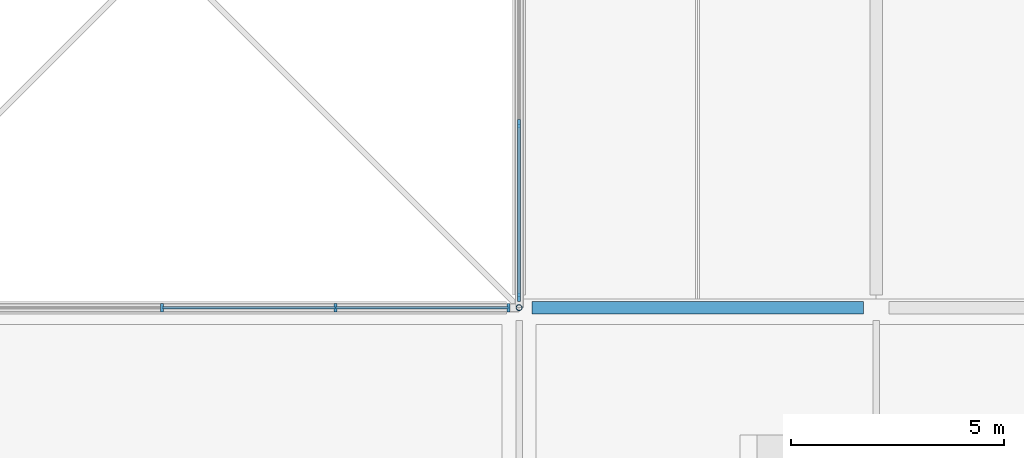
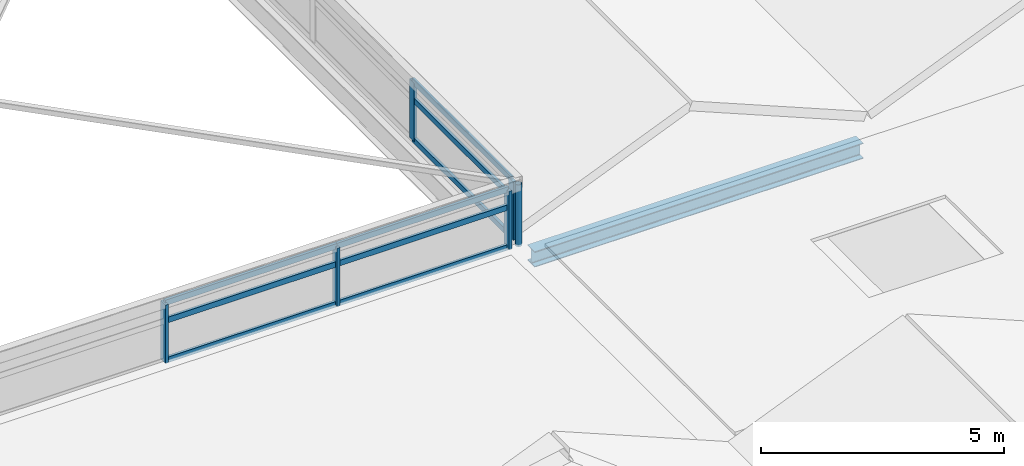
# One storey, part 4 of 14: 15 members, 1 beam, 2 elements without a shape of their own.
"""IFC4 building model written with IfcOpenShell, lengths in metres."""

from ifc_helpers import new_model, si_unit, direction, frame, origin, origin_2d, place, context, subcontext, project, spatial, rectangle, hollow_circle, i_section, extrude, material, layer, layer_set, material_profile, profile_set, type_object, element, aggregate, save


model = new_model("IFC4")

# Units and contexts
model_context = context("Model", 3, precision=1e-05, world=origin(), true_north=direction((0.0, 1.0)))
body_context = subcontext(model_context, "Body", "Model", "MODEL_VIEW")
ifc_project = project(units=[si_unit("LENGTHUNIT", "METRE"), si_unit("AREAUNIT", "SQUARE_METRE"), si_unit("VOLUMEUNIT", "CUBIC_METRE"), si_unit("PLANEANGLEUNIT", "RADIAN"), si_unit("MASSUNIT", "GRAM", prefix="KILO")], contexts=[model_context])

# Site, building, storey
site_placement = place(None, origin())
site = spatial("IfcSite", under=ifc_project, at=site_placement, CompositionType="ELEMENT")
building_placement = place(site_placement, origin())
building = spatial("IfcBuilding", under=site, at=building_placement, Name="Qawsi Khor Wholesale Market", CompositionType="ELEMENT")
storey_placement = place(building_placement, frame((0.0, 0.0, 20.699951171875)))
storey = spatial("IfcBuildingStorey", under=building, at=storey_placement, Name="RF", CompositionType="ELEMENT", Elevation=20.699951171875)

# Curtain wall, members
ifc_material_1 = material(Name="Aluminium Anodised Bronze", Category="aluminium")
ifc_layer = layer(ifc_material_1, 0.179931640625, Name="Aluminium Anodised Bronze")
ifc_layer_set = layer_set([ifc_layer], Name="Aluminium Anodised Bronze")
curtain_wall_type = type_object("IfcCurtainWallType", Name="Atrium Full-Height Curtain Wall CW-02", PredefinedType="NOTDEFINED", material=ifc_layer_set)
curtain_wall_1_placement = place(storey_placement, origin())
curtain_wall_1 = element("IfcCurtainWall", 1, at=curtain_wall_1_placement, inside=storey, type_object=curtain_wall_type, Name="Curtain wall CW-CW-02-RF-046", PredefinedType="NOTDEFINED")
ifc_material_profile_1 = material_profile(ifc_material_1, rectangle(XDim=0.070068359375, YDim=0.199951171875, at=origin_2d()), Name="ALU MULLION 70x200")
ifc_profile_set_1 = profile_set([ifc_material_profile_1], Name="Aluminium Anodised Bronze")
member_type_1 = type_object("IfcMemberType", Name="Curtain Wall Mullion CW-02 ALU MULLION 70x200", PredefinedType="MULLION", material=ifc_profile_set_1)
member_1_placement = place(storey_placement, frame((58.800048828125, 25.199951171875, -0.02001953125), z_axis=(0.0, 0.0, 1.0), x_axis=(1.0, 0.0, 0.0)))
member_1 = element("IfcMember", 2, at=member_1_placement, type_object=member_type_1, Name="Mullion CW-CW-02-RF-046-M02", PredefinedType="MULLION", context=body_context, shape_type="SweptSolid", body=[
    extrude(rectangle(XDim=0.070068359375, YDim=0.199951171875, at=origin_2d()), origin(), (0.0, 0.0, 1.0), 1.469970703125),
])
member_2_placement = place(storey_placement, frame((62.875, 25.199951171875, -0.02001953125), z_axis=(0.0, 0.0, 1.0), x_axis=(1.0, 0.0, 0.0)))
member_2 = element("IfcMember", 3, at=member_2_placement, type_object=member_type_1, Name="Mullion CW-CW-02-RF-046-M03", PredefinedType="MULLION", context=body_context, shape_type="SweptSolid", body=[
    extrude(rectangle(XDim=0.070068359375, YDim=0.199951171875, at=origin_2d()), origin(), (0.0, 0.0, 1.0), 1.469970703125),
])
member_3_placement = place(storey_placement, frame((66.949951171875, 25.199951171875, -0.02001953125), z_axis=(0.0, 0.0, 1.0), x_axis=(1.0, 0.0, 0.0)))
member_3 = element("IfcMember", 4, at=member_3_placement, type_object=member_type_1, Name="Mullion CW-CW-02-RF-046-M04", PredefinedType="MULLION", context=body_context, shape_type="SweptSolid", body=[
    extrude(rectangle(XDim=0.070068359375, YDim=0.199951171875, at=origin_2d()), origin(), (0.0, 0.0, 1.0), 1.469970703125),
])

curtain_wall_2_placement = place(storey_placement, origin())
curtain_wall_2 = element("IfcCurtainWall", 5, at=curtain_wall_2_placement, inside=storey, type_object=curtain_wall_type, Name="Curtain wall CW-CW-02-RF-049", PredefinedType="NOTDEFINED")
member_4_placement = place(storey_placement, frame((67.199951171875, 25.449951171875, -0.02001953125), z_axis=(0.0, 0.0, 1.0), x_axis=(1.0, 0.0, 0.0)))
member_4 = element("IfcMember", 6, at=member_4_placement, type_object=member_type_1, Name="Mullion CW-CW-02-RF-049-M00", PredefinedType="MULLION", context=body_context, shape_type="SweptSolid", body=[
    extrude(rectangle(XDim=0.070068359375, YDim=0.199951171875, at=origin_2d()), origin(), (0.0, 0.0, 1.0), 1.469970703125),
])
member_5_placement = place(storey_placement, frame((67.199951171875, 29.52490234375, -0.02001953125), z_axis=(0.0, 0.0, 1.0), x_axis=(1.0, 0.0, 0.0)))
member_5 = element("IfcMember", 7, at=member_5_placement, type_object=member_type_1, Name="Mullion CW-CW-02-RF-049-M01", PredefinedType="MULLION", context=body_context, shape_type="SweptSolid", body=[
    extrude(rectangle(XDim=0.070068359375, YDim=0.199951171875, at=origin_2d()), origin(), (0.0, 0.0, 1.0), 1.469970703125),
])

# Member
ifc_material_profile_2 = material_profile(ifc_material_1, rectangle(XDim=0.06494140625, YDim=0.139892578125, at=origin_2d()), Name="ALU TRANSOM 65x140")
ifc_profile_set_2 = profile_set([ifc_material_profile_2], Name="Aluminium Anodised Bronze")
member_type_2 = type_object("IfcMemberType", Name="Curtain Wall Transom CW-02 ALU TRANSOM 65x140", PredefinedType="USERDEFINED", material=ifc_profile_set_2)
member_6_placement = place(storey_placement, frame((58.800048828125, 25.199951171875, 0.0), z_axis=(1.0, 0.0, 0.0), x_axis=(0.0, 1.0, 0.0)))
member_6 = element("IfcMember", 8, at=member_6_placement, type_object=member_type_2, Name="Transom CW-CW-02-RF-046-T0_02", ObjectType="TRANSOM", PredefinedType="USERDEFINED", context=body_context, shape_type="SweptSolid", body=[
    extrude(rectangle(XDim=0.06494140625, YDim=0.139892578125, at=origin_2d()), origin(), (0.0, 0.0, 1.0), 4.074951171875),
])

member_7_placement = place(storey_placement, frame((62.875, 25.199951171875, 0.0), z_axis=(1.0, 0.0, 0.0), x_axis=(0.0, 1.0, 0.0)))
member_7 = element("IfcMember", 9, at=member_7_placement, type_object=member_type_2, Name="Transom CW-CW-02-RF-046-T0_03", ObjectType="TRANSOM", PredefinedType="USERDEFINED", context=body_context, shape_type="SweptSolid", body=[
    extrude(rectangle(XDim=0.06494140625, YDim=0.139892578125, at=origin_2d()), origin(), (0.0, 0.0, 1.0), 4.074951171875),
])

member_8_placement = place(storey_placement, frame((58.800048828125, 25.199951171875, 1.0), z_axis=(1.0, 0.0, 0.0), x_axis=(0.0, 1.0, 0.0)))
member_8 = element("IfcMember", 10, at=member_8_placement, type_object=member_type_2, Name="Transom CW-CW-02-RF-046-T1_02", ObjectType="TRANSOM", PredefinedType="USERDEFINED", context=body_context, shape_type="SweptSolid", body=[
    extrude(rectangle(XDim=0.06494140625, YDim=0.139892578125, at=origin_2d()), origin(), (0.0, 0.0, 1.0), 4.074951171875),
])

member_9_placement = place(storey_placement, frame((62.875, 25.199951171875, 1.0), z_axis=(1.0, 0.0, 0.0), x_axis=(0.0, 1.0, 0.0)))
member_9 = element("IfcMember", 11, at=member_9_placement, type_object=member_type_2, Name="Transom CW-CW-02-RF-046-T1_03", ObjectType="TRANSOM", PredefinedType="USERDEFINED", context=body_context, shape_type="SweptSolid", body=[
    extrude(rectangle(XDim=0.06494140625, YDim=0.139892578125, at=origin_2d()), origin(), (0.0, 0.0, 1.0), 4.074951171875),
])

member_10_placement = place(storey_placement, frame((58.800048828125, 25.199951171875, 1.449951171875), z_axis=(1.0, 0.0, 0.0), x_axis=(0.0, 1.0, 0.0)))
member_10 = element("IfcMember", 12, at=member_10_placement, type_object=member_type_2, Name="Transom CW-CW-02-RF-046-T2_02", ObjectType="TRANSOM", PredefinedType="USERDEFINED", context=body_context, shape_type="SweptSolid", body=[
    extrude(rectangle(XDim=0.06494140625, YDim=0.139892578125, at=origin_2d()), origin(), (0.0, 0.0, 1.0), 4.074951171875),
])

member_11_placement = place(storey_placement, frame((62.875, 25.199951171875, 1.449951171875), z_axis=(1.0, 0.0, 0.0), x_axis=(0.0, 1.0, 0.0)))
member_11 = element("IfcMember", 13, at=member_11_placement, type_object=member_type_2, Name="Transom CW-CW-02-RF-046-T2_03", ObjectType="TRANSOM", PredefinedType="USERDEFINED", context=body_context, shape_type="SweptSolid", body=[
    extrude(rectangle(XDim=0.06494140625, YDim=0.139892578125, at=origin_2d()), origin(), (0.0, 0.0, 1.0), 4.074951171875),
])

aggregate(curtain_wall_1, [member_1, member_2, member_3, member_6, member_7, member_8, member_9, member_10, member_11])

member_12_placement = place(storey_placement, frame((67.199951171875, 25.449951171875, 0.0), z_axis=(0.0, 1.0, 0.0), x_axis=(-1.0, 0.0, 0.0)))
member_12 = element("IfcMember", 14, at=member_12_placement, type_object=member_type_2, Name="Transom CW-CW-02-RF-049-T0_00", ObjectType="TRANSOM", PredefinedType="USERDEFINED", context=body_context, shape_type="SweptSolid", body=[
    extrude(rectangle(XDim=0.06494140625, YDim=0.139892578125, at=origin_2d()), origin(), (0.0, 0.0, 1.0), 4.074951171875),
])

member_13_placement = place(storey_placement, frame((67.199951171875, 25.449951171875, 1.0), z_axis=(0.0, 1.0, 0.0), x_axis=(-1.0, 0.0, 0.0)))
member_13 = element("IfcMember", 15, at=member_13_placement, type_object=member_type_2, Name="Transom CW-CW-02-RF-049-T1_00", ObjectType="TRANSOM", PredefinedType="USERDEFINED", context=body_context, shape_type="SweptSolid", body=[
    extrude(rectangle(XDim=0.06494140625, YDim=0.139892578125, at=origin_2d()), origin(), (0.0, 0.0, 1.0), 4.074951171875),
])

member_14_placement = place(storey_placement, frame((67.199951171875, 25.449951171875, 1.449951171875), z_axis=(0.0, 1.0, 0.0), x_axis=(-1.0, 0.0, 0.0)))
member_14 = element("IfcMember", 16, at=member_14_placement, type_object=member_type_2, Name="Transom CW-CW-02-RF-049-T2_00", ObjectType="TRANSOM", PredefinedType="USERDEFINED", context=body_context, shape_type="SweptSolid", body=[
    extrude(rectangle(XDim=0.06494140625, YDim=0.139892578125, at=origin_2d()), origin(), (0.0, 0.0, 1.0), 4.074951171875),
])

aggregate(curtain_wall_2, [member_4, member_5, member_12, member_13, member_14])

ifc_material_2 = material(Name="Steel S355", Category="steel")
ifc_material_profile_3 = material_profile(ifc_material_2, hollow_circle(Radius=0.06982421875, WallThickness=0.00634765625, at=origin_2d()), Name="CHS 139.7x6.3")
ifc_profile_set_3 = profile_set([ifc_material_profile_3], Name="Steel S355")
member_type_3 = type_object("IfcMemberType", Name="Lantern Corner Strut CHS 139.7x6.3", PredefinedType="STRUT", material=ifc_profile_set_3)
member_15_placement = place(storey_placement, frame((67.199951171875, 25.199951171875, -0.050048828125), z_axis=(0.0, 0.0, 1.0), x_axis=(1.0, 0.0, 0.0)))
element("IfcMember", 17, at=member_15_placement, inside=storey, type_object=member_type_3, Name="Atrium lantern corner post WAT-2", PredefinedType="STRUT", context=body_context, shape_type="SweptSolid", body=[
    extrude(hollow_circle(Radius=0.06982421875, WallThickness=0.00634765625, at=origin_2d()), origin(), (0.0, 0.0, 1.0), 1.550048828125),
])

# Beam
ifc_material_profile_4 = material_profile(ifc_material_2, i_section(OverallWidth=0.300048828125, OverallDepth=0.389892578125, WebThickness=0.010986328125, FlangeThickness=0.01904296875, FilletRadius=0.027099609375, at=origin_2d()), Name="HEA 400")
ifc_profile_set_4 = profile_set([ifc_material_profile_4], Name="Steel S355")
beam_type = type_object("IfcBeamType", Name="Primary Girder HEA 400", PredefinedType="BEAM", material=ifc_profile_set_4)
beam_placement = place(storey_placement, frame((67.5, 25.199951171875, -0.43505859375), z_axis=(1.0, 0.0, 0.0), x_axis=(0.0, 1.0, 0.0)))
element("IfcBeam", 18, at=beam_placement, inside=storey, type_object=beam_type, Name="BM-X-RF-08_+03", PredefinedType="BEAM", context=body_context, shape_type="SweptSolid", body=[
    extrude(i_section(OverallWidth=0.300048828125, OverallDepth=0.389892578125, WebThickness=0.010986328125, FlangeThickness=0.01904296875, FilletRadius=0.027099609375, at=origin_2d()), origin(), (0.0, 0.0, 1.0), 7.800048828125),
])

save(model, "model.ifc")
